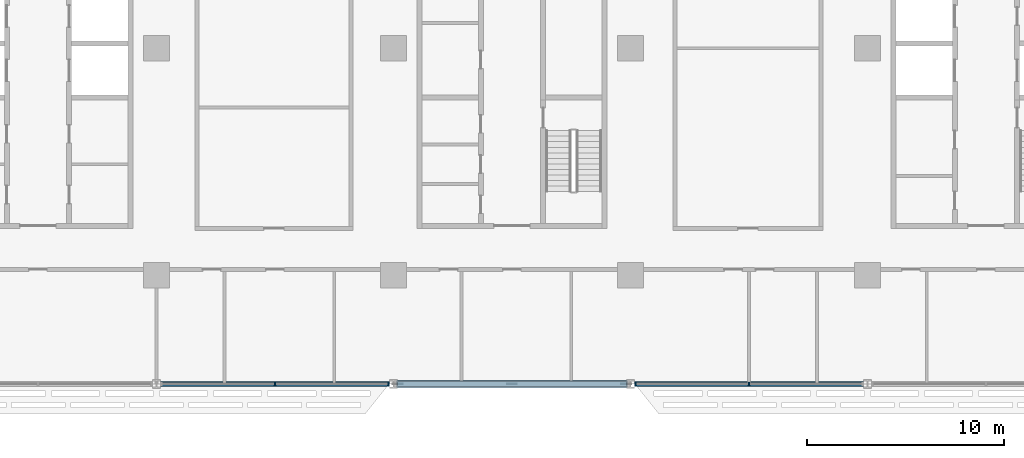
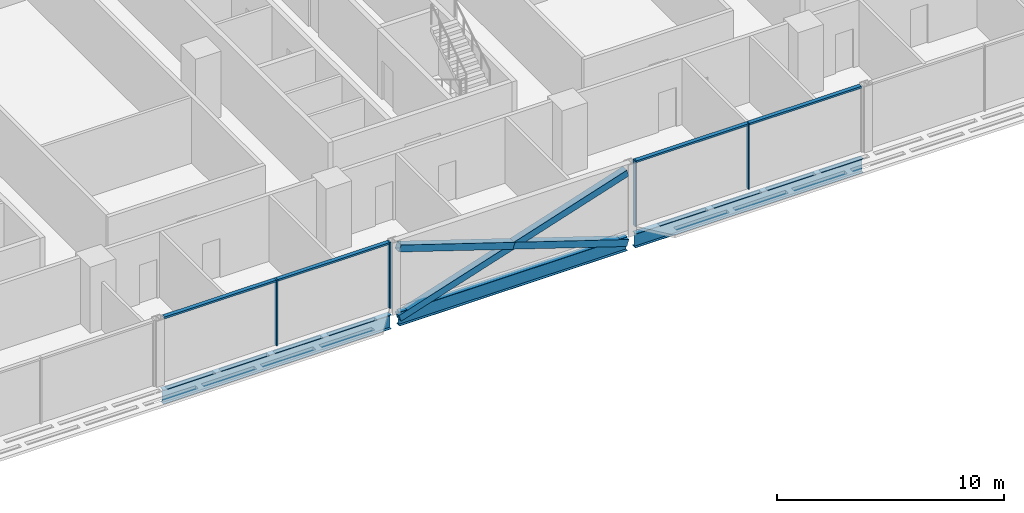
# One storey, part 5 of 29: 11 members, 3 beams, 2 elements without a shape of their own.
"""IFC4 building model written with IfcOpenShell, lengths in metres."""

from ifc_helpers import new_model, si_unit, direction, frame, origin, origin_2d, place, context, subcontext, project, spatial, rectangle, hollow_rectangle, i_section, extrude, material, material_profile, profile_set, type_object, element, aggregate, save


model = new_model("IFC4")

# Units and contexts
model_context = context("Model", 3, precision=1e-05, world=origin(), true_north=direction((0.0, 1.0)))
body_context = subcontext(model_context, "Body", "Model", "MODEL_VIEW")
ifc_project = project(units=[si_unit("LENGTHUNIT", "METRE"), si_unit("AREAUNIT", "SQUARE_METRE"), si_unit("VOLUMEUNIT", "CUBIC_METRE"), si_unit("PLANEANGLEUNIT", "RADIAN"), si_unit("MASSUNIT", "GRAM", prefix="KILO")], contexts=[model_context])

# Site, building, storey
site_placement = place(None, origin())
site = spatial("IfcSite", under=ifc_project, at=site_placement, CompositionType="ELEMENT")
building_placement = place(site_placement, origin())
building = spatial("IfcBuilding", under=site, at=building_placement, Name="Mahtab Terrace Research Tower", CompositionType="ELEMENT")
storey_placement = place(building_placement, frame((0.0, 0.0, 150.699951171875)))
storey = spatial("IfcBuildingStorey", under=building, at=storey_placement, Name="L35", CompositionType="ELEMENT", Elevation=150.699951171875)

# Members
ifc_material_1 = material(Name="Steel ASTM A500 Gr C", Category="steel")
ifc_material_profile_1 = material_profile(ifc_material_1, hollow_rectangle(XDim=0.355712890625, YDim=0.355712890625, WallThickness=0.01904296875, at=origin_2d()), Name="HSS14X14X3/4")
ifc_profile_set_1 = profile_set([ifc_material_profile_1], Name="Steel ASTM A500 Gr C")
member_type_1 = type_object("IfcMemberType", Name="HSS 14x14x3/4 brace XB141434", PredefinedType="BRACE", material=ifc_profile_set_1)
member_1_placement = place(storey_placement, frame((-5.794189453125, -17.0, -0.651611328125), z_axis=(0.951266203011, 0.0, 0.308370898448), x_axis=(0.0, 1.0, 0.0)))
element("IfcMember", 1, at=member_1_placement, inside=storey, type_object=member_type_1, Name="Exoskeleton brace L35 17 a", PredefinedType="BRACE", context=body_context, shape_type="SweptSolid", body=[
    extrude(hollow_rectangle(XDim=0.355712890625, YDim=0.355712890625, WallThickness=0.01904296875, at=origin_2d()), origin(), (0.0, 0.0, 1.0), 12.18212890625),
])
for number, where, z_axis, x_axis, name in (
    (2, (5.794189453125, -17.0, -0.651611328125), (-0.951272081758, 0.0, 0.308352763029), (0.0, -1.0, 0.0), "Exoskeleton brace L35 17 b1"),
    (3, (0.0, -17.0, 1.2265625), (-0.95126032399, 0.0, 0.308389033531), (0.0, -1.0, 0.0), "Exoskeleton brace L35 17 b2"),
):
    element("IfcMember", number, at=place(storey_placement, frame(where, z_axis=z_axis, x_axis=x_axis)), inside=storey, type_object=member_type_1, Name=name, PredefinedType="BRACE", context=body_context, shape_type="SweptSolid", body=[
        extrude(hollow_rectangle(XDim=0.355712890625, YDim=0.355712890625, WallThickness=0.01904296875, at=origin_2d()), origin(), (0.0, 0.0, 1.0), 6.091064453125),
    ])

# Curtain wall, members
ifc_material_2 = material(Name="Laboratory ribbon curtain wall")
curtain_wall_type = type_object("IfcCurtainWallType", Name="Laboratory ribbon curtain wall", PredefinedType="NOTDEFINED", material=ifc_material_2)
curtain_wall_1_placement = place(storey_placement, origin())
curtain_wall_1 = element("IfcCurtainWall", 4, at=curtain_wall_1_placement, inside=storey, type_object=curtain_wall_type, Name="EN.L35.13.26", PredefinedType="NOTDEFINED")
ifc_material_3 = material(Name="Natural anodised aluminium", Category="aluminium")
ifc_material_profile_2 = material_profile(ifc_material_3, rectangle(XDim=0.199951171875, YDim=0.06494140625, at=origin_2d()), Name="MULLION 65x200")
ifc_profile_set_2 = profile_set([ifc_material_profile_2], Name="Natural anodised aluminium")
member_type_2 = type_object("IfcMemberType", Name="Laboratory ribbon curtain wall mullion", PredefinedType="MULLION", material=ifc_profile_set_2)
member_2_placement = place(storey_placement, frame((-12.0, -17.0, 0.0), z_axis=(0.0, 0.0, 1.0), x_axis=(0.0, 1.0, 0.0)))
member_2 = element("IfcMember", 5, at=member_2_placement, type_object=member_type_2, Name="CWL-4 mullion 2", PredefinedType="MULLION", context=body_context, shape_type="SweptSolid", body=[
    extrude(rectangle(XDim=0.199951171875, YDim=0.06494140625, at=origin_2d()), origin(), (0.0, 0.0, 1.0), 3.550048828125),
])
member_3_placement = place(storey_placement, frame((-6.25048828125, -17.0, 0.0), z_axis=(0.0, 0.0, 1.0), x_axis=(0.0, 1.0, 0.0)))
member_3 = element("IfcMember", 6, at=member_3_placement, type_object=member_type_2, Name="CWL-4 mullion 3", PredefinedType="MULLION", context=body_context, shape_type="SweptSolid", body=[
    extrude(rectangle(XDim=0.199951171875, YDim=0.06494140625, at=origin_2d()), origin(), (0.0, 0.0, 1.0), 3.550048828125),
])

curtain_wall_2_placement = place(storey_placement, origin())
curtain_wall_2 = element("IfcCurtainWall", 7, at=curtain_wall_2_placement, inside=storey, type_object=curtain_wall_type, Name="EN.L35.13.28", PredefinedType="NOTDEFINED")
member_4_placement = place(storey_placement, frame((6.25048828125, -17.0, 0.0), z_axis=(0.0, 0.0, 1.0), x_axis=(0.0, 1.0, 0.0)))
member_4 = element("IfcMember", 8, at=member_4_placement, type_object=member_type_2, Name="CWL-4 mullion 1", PredefinedType="MULLION", context=body_context, shape_type="SweptSolid", body=[
    extrude(rectangle(XDim=0.199951171875, YDim=0.06494140625, at=origin_2d()), origin(), (0.0, 0.0, 1.0), 3.550048828125),
])
member_5_placement = place(storey_placement, frame((12.0, -17.0, 0.0), z_axis=(0.0, 0.0, 1.0), x_axis=(0.0, 1.0, 0.0)))
member_5 = element("IfcMember", 9, at=member_5_placement, type_object=member_type_2, Name="CWL-4 mullion 2", PredefinedType="MULLION", context=body_context, shape_type="SweptSolid", body=[
    extrude(rectangle(XDim=0.199951171875, YDim=0.06494140625, at=origin_2d()), origin(), (0.0, 0.0, 1.0), 3.550048828125),
])

# Member
ifc_material_profile_3 = material_profile(ifc_material_3, rectangle(XDim=0.199951171875, YDim=0.10009765625, at=origin_2d()), Name="TRANSOM 100x200")
ifc_profile_set_3 = profile_set([ifc_material_profile_3], Name="Natural anodised aluminium")
member_type_3 = type_object("IfcMemberType", Name="Laboratory ribbon curtain wall transom", PredefinedType="USERDEFINED", material=ifc_profile_set_3)
member_6_placement = place(storey_placement, frame((-17.717041015625, -17.0, 3.5), z_axis=(1.0, 0.0, 0.0), x_axis=(0.0, 1.0, 0.0)))
member_6 = element("IfcMember", 10, at=member_6_placement, type_object=member_type_3, Name="CWL-4 transom 1", ObjectType="TRANSOM", PredefinedType="USERDEFINED", context=body_context, shape_type="SweptSolid", body=[
    extrude(rectangle(XDim=0.199951171875, YDim=0.10009765625, at=origin_2d()), origin(), (0.0, 0.0, 1.0), 5.6845703125),
])

member_7_placement = place(storey_placement, frame((-11.967529296875, -17.0, 3.5), z_axis=(1.0, 0.0, 0.0), x_axis=(0.0, 1.0, 0.0)))
member_7 = element("IfcMember", 11, at=member_7_placement, type_object=member_type_3, Name="CWL-4 transom 2", ObjectType="TRANSOM", PredefinedType="USERDEFINED", context=body_context, shape_type="SweptSolid", body=[
    extrude(rectangle(XDim=0.199951171875, YDim=0.10009765625, at=origin_2d()), origin(), (0.0, 0.0, 1.0), 5.6845703125),
])

aggregate(curtain_wall_1, [member_2, member_3, member_6, member_7])

member_8_placement = place(storey_placement, frame((6.282958984375, -17.0, 3.5), z_axis=(1.0, 0.0, 0.0), x_axis=(0.0, 1.0, 0.0)))
member_8 = element("IfcMember", 12, at=member_8_placement, type_object=member_type_3, Name="CWL-4 transom 1", ObjectType="TRANSOM", PredefinedType="USERDEFINED", context=body_context, shape_type="SweptSolid", body=[
    extrude(rectangle(XDim=0.199951171875, YDim=0.10009765625, at=origin_2d()), origin(), (0.0, 0.0, 1.0), 5.6845703125),
])

member_9_placement = place(storey_placement, frame((12.032470703125, -17.0, 3.5), z_axis=(1.0, 0.0, 0.0), x_axis=(0.0, 1.0, 0.0)))
member_9 = element("IfcMember", 13, at=member_9_placement, type_object=member_type_3, Name="CWL-4 transom 2", ObjectType="TRANSOM", PredefinedType="USERDEFINED", context=body_context, shape_type="SweptSolid", body=[
    extrude(rectangle(XDim=0.199951171875, YDim=0.10009765625, at=origin_2d()), origin(), (0.0, 0.0, 1.0), 5.6845703125),
])

aggregate(curtain_wall_2, [member_4, member_5, member_8, member_9])

# Beams
ifc_material_4 = material(Name="Steel ASTM A992 Gr 50", Category="steel")
ifc_material_profile_4 = material_profile(ifc_material_4, i_section(OverallWidth=0.2666015625, OverallDepth=0.7568359375, WebThickness=0.013916015625, FlangeThickness=0.019287109375, at=origin_2d()), Name="W30X108")
ifc_profile_set_4 = profile_set([ifc_material_profile_4], Name="Steel ASTM A992 Gr 50")
beam_type = type_object("IfcBeamType", Name="W30x108 beam BS30108", PredefinedType="BEAM", material=ifc_profile_set_4)
for number, where, z_axis, x_axis, name in (
    (14, (-17.794189453125, -17.0, -0.718505859375), (1.0, 0.0, 0.0), (0.0, 1.0, 0.0), "Spandrel beam L35 16"),
    (15, (-5.794189453125, -17.0, -0.718505859375), (1.0, 0.0, 0.0), (0.0, 1.0, 0.0), "Spandrel beam L35 17"),
    (16, (6.205810546875, -17.0, -0.718505859375), (1.0, 0.0, 0.0), (0.0, 1.0, 0.0), "Spandrel beam L35 18"),
):
    element("IfcBeam", number, at=place(storey_placement, frame(where, z_axis=z_axis, x_axis=x_axis)), inside=storey, type_object=beam_type, Name=name, PredefinedType="BEAM", context=body_context, shape_type="SweptSolid", body=[
        extrude(i_section(OverallWidth=0.2666015625, OverallDepth=0.7568359375, WebThickness=0.013916015625, FlangeThickness=0.019287109375, at=origin_2d()), origin(), (0.0, 0.0, 1.0), 11.58837890625),
    ])

save(model, "model.ifc")
